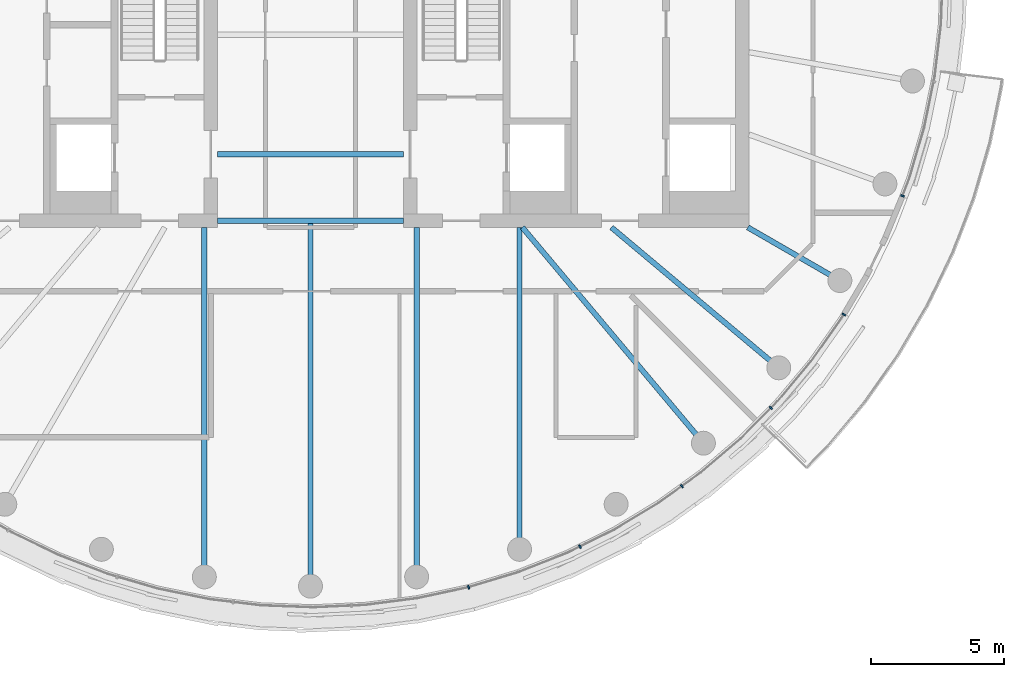
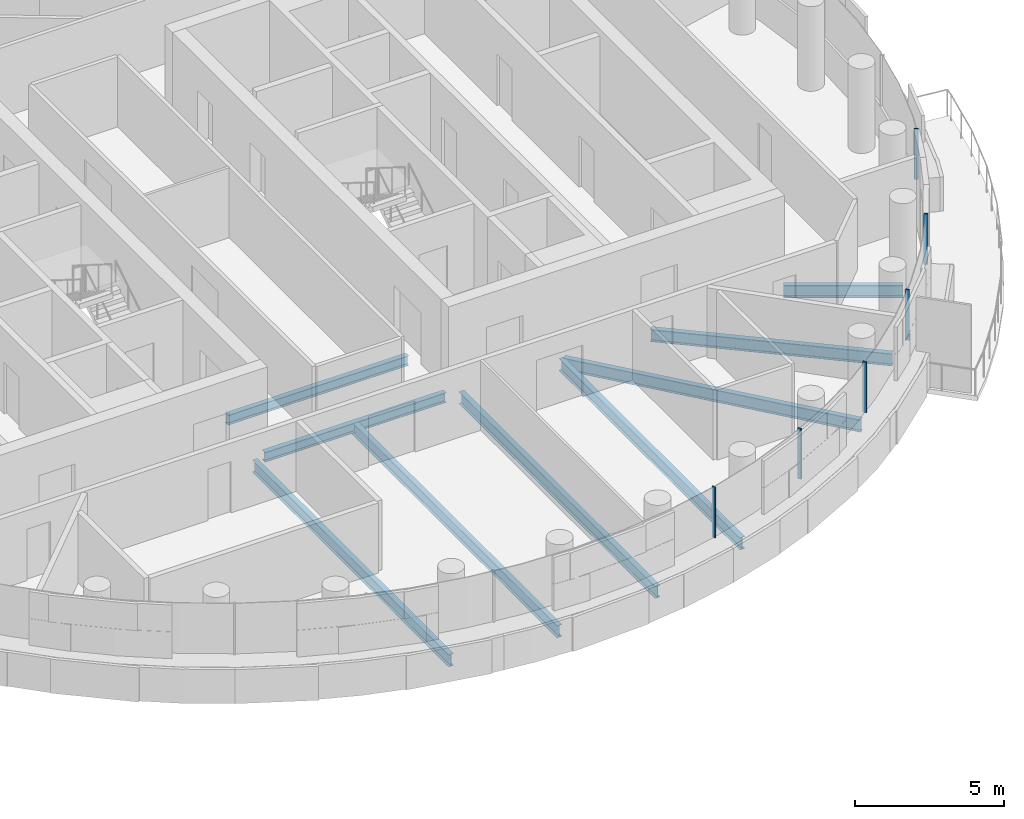
# One storey, part 7 of 27: 9 beams, 6 members, 1 element without a shape of its own.
"""IFC4 building model written with IfcOpenShell, lengths in metres."""

from ifc_helpers import new_model, si_unit, direction, frame, origin, origin_2d, place, context, subcontext, project, spatial, rectangle, i_section, extrude, material, layer, layer_set, material_profile, profile_set, type_object, element, aggregate, save


model = new_model("IFC4")

# Units and contexts
model_context = context("Model", 3, precision=1e-05, world=origin(), true_north=direction((0.0, 1.0)))
body_context = subcontext(model_context, "Body", "Model", "MODEL_VIEW")
ifc_project = project(units=[si_unit("LENGTHUNIT", "METRE"), si_unit("AREAUNIT", "SQUARE_METRE"), si_unit("VOLUMEUNIT", "CUBIC_METRE"), si_unit("PLANEANGLEUNIT", "RADIAN"), si_unit("MASSUNIT", "GRAM", prefix="KILO")], contexts=[model_context])

# Site, building, storey
site_placement = place(None, origin())
site = spatial("IfcSite", under=ifc_project, at=site_placement, CompositionType="ELEMENT")
building_placement = place(site_placement, origin())
building = spatial("IfcBuilding", under=site, at=building_placement, Name="Tamarind Cross Interchange Tower", CompositionType="ELEMENT")
storey_placement = place(building_placement, frame((0.0, 0.0, 245.10009765625)))
storey = spatial("IfcBuildingStorey", under=building, at=storey_placement, Name="L62", CompositionType="ELEMENT", Elevation=245.10009765625)

# Beams
ifc_material_1 = material(Name="Steel Q355B", Category="steel")
ifc_material_profile_1 = material_profile(ifc_material_1, i_section(OverallWidth=0.199951171875, OverallDepth=0.39990234375, WebThickness=0.008056640625, FlangeThickness=0.012939453125, FilletRadius=0.01611328125, at=origin_2d()), Name="HN 400x200x8x13")
ifc_profile_set_1 = profile_set([ifc_material_profile_1], Name="Steel Q355B")
beam_type_1 = type_object("IfcBeamType", Name="Composite beam HN 400x200x8x13 Q355B", PredefinedType="BEAM", material=ifc_profile_set_1)
for number, where, z_axis, x_axis, name in (
    (1, (-3.5, -6.75, -0.340087890625), (1.0, 0.0, 0.0), (0.0, 1.0, 0.0), "Beam G-6.75"),
    (2, (-3.5, -9.25, -0.340087890625), (1.0, 0.0, 0.0), (0.0, 1.0, 0.0), "Beam G-9.25"),
):
    element("IfcBeam", number, at=place(storey_placement, frame(where, z_axis=z_axis, x_axis=x_axis)), inside=storey, type_object=beam_type_1, Name=name, PredefinedType="BEAM", context=body_context, shape_type="SweptSolid", body=[
        extrude(i_section(OverallWidth=0.199951171875, OverallDepth=0.39990234375, WebThickness=0.008056640625, FlangeThickness=0.012939453125, FilletRadius=0.01611328125, at=origin_2d()), origin(), (0.0, 0.0, 1.0), 7.0),
    ])
ifc_material_profile_2 = material_profile(ifc_material_1, i_section(OverallWidth=0.198974609375, OverallDepth=0.49609375, WebThickness=0.009033203125, FlangeThickness=0.013916015625, FilletRadius=0.012939453125, at=origin_2d()), Name="HN 496x199x9x14")
ifc_profile_set_2 = profile_set([ifc_material_profile_2], Name="Steel Q355B")
beam_type_2 = type_object("IfcBeamType", Name="Composite beam HN 496x199x9x14 Q355B", PredefinedType="BEAM", material=ifc_profile_set_2)
beam_1_placement = place(storey_placement, frame((-3.993896484375, -22.650634765625, -0.38818359375), z_axis=(0.0, 1.0, 0.0), x_axis=(-1.0, 0.0, 0.0)))
element("IfcBeam", 3, at=beam_1_placement, inside=storey, type_object=beam_type_2, Name="Beam HH26", PredefinedType="BEAM", context=body_context, shape_type="SweptSolid", body=[
    extrude(i_section(OverallWidth=0.198974609375, OverallDepth=0.49609375, WebThickness=0.009033203125, FlangeThickness=0.013916015625, FilletRadius=0.012939453125, at=origin_2d()), origin(), (0.0, 0.0, 1.0), 13.150634765625),
])
beam_2_placement = place(storey_placement, frame((0.0, -23.0, -0.38818359375), z_axis=(0.0, 1.0, 0.0), x_axis=(-1.0, 0.0, 0.0)))
element("IfcBeam", 4, at=beam_2_placement, inside=storey, type_object=beam_type_2, Name="Beam HH27", PredefinedType="BEAM", context=body_context, shape_type="SweptSolid", body=[
    extrude(i_section(OverallWidth=0.198974609375, OverallDepth=0.49609375, WebThickness=0.009033203125, FlangeThickness=0.013916015625, FilletRadius=0.012939453125, at=origin_2d()), origin(), (0.0, 0.0, 1.0), 13.75),
])
beam_3_placement = place(storey_placement, frame((3.993896484375, -22.650634765625, -0.38818359375), z_axis=(0.0, 1.0, 0.0), x_axis=(-1.0, 0.0, 0.0)))
element("IfcBeam", 5, at=beam_3_placement, inside=storey, type_object=beam_type_2, Name="Beam HH28", PredefinedType="BEAM", context=body_context, shape_type="SweptSolid", body=[
    extrude(i_section(OverallWidth=0.198974609375, OverallDepth=0.49609375, WebThickness=0.009033203125, FlangeThickness=0.013916015625, FilletRadius=0.012939453125, at=origin_2d()), origin(), (0.0, 0.0, 1.0), 13.150634765625),
])
beam_4_placement = place(storey_placement, frame((7.866455078125, -21.613037109375, -0.38818359375), z_axis=(0.0, 1.0, 0.0), x_axis=(-1.0, 0.0, 0.0)))
element("IfcBeam", 6, at=beam_4_placement, inside=storey, type_object=beam_type_2, Name="Beam HH29", PredefinedType="BEAM", context=body_context, shape_type="SweptSolid", body=[
    extrude(i_section(OverallWidth=0.198974609375, OverallDepth=0.49609375, WebThickness=0.009033203125, FlangeThickness=0.013916015625, FilletRadius=0.012939453125, at=origin_2d()), origin(), (0.0, 0.0, 1.0), 12.113037109375),
])
beam_5_placement = place(storey_placement, frame((14.7841796875, -17.619140625, -0.38818359375), z_axis=(-0.642786293979, 0.766045547127, 0.0), x_axis=(-0.766045547127, -0.642786293979, 0.0)))
element("IfcBeam", 7, at=beam_5_placement, inside=storey, type_object=beam_type_2, Name="Beam HH31", PredefinedType="BEAM", context=body_context, shape_type="SweptSolid", body=[
    extrude(i_section(OverallWidth=0.198974609375, OverallDepth=0.49609375, WebThickness=0.009033203125, FlangeThickness=0.013916015625, FilletRadius=0.012939453125, at=origin_2d()), origin(), (0.0, 0.0, 1.0), 10.598876953125),
])
beam_6_placement = place(storey_placement, frame((17.619140625, -14.7841796875, -0.38818359375), z_axis=(-0.766040580814, 0.642792212574, 0.0), x_axis=(-0.642792212574, -0.766040580814, 0.0)))
element("IfcBeam", 8, at=beam_6_placement, inside=storey, type_object=beam_type_2, Name="Beam HH32", PredefinedType="BEAM", context=body_context, shape_type="SweptSolid", body=[
    extrude(i_section(OverallWidth=0.198974609375, OverallDepth=0.49609375, WebThickness=0.009033203125, FlangeThickness=0.013916015625, FilletRadius=0.012939453125, at=origin_2d()), origin(), (0.0, 0.0, 1.0), 8.220703125),
])
beam_7_placement = place(storey_placement, frame((19.918701171875, -11.5, -0.38818359375), z_axis=(-0.866026010844, 0.49999894854, 0.0), x_axis=(-0.49999894854, -0.866026010844, 0.0)))
element("IfcBeam", 9, at=beam_7_placement, inside=storey, type_object=beam_type_2, Name="Beam HH33", PredefinedType="BEAM", context=body_context, shape_type="SweptSolid", body=[
    extrude(i_section(OverallWidth=0.198974609375, OverallDepth=0.49609375, WebThickness=0.009033203125, FlangeThickness=0.013916015625, FilletRadius=0.012939453125, at=origin_2d()), origin(), (0.0, 0.0, 1.0), 4.0),
])

# Curtain wall, members
ifc_material_2 = material(Name="Aluminium 6063-T6", Category="aluminium")
ifc_layer = layer(ifc_material_2, 0.139892578125)
ifc_layer_set = layer_set([ifc_layer], Name="Aluminium 6063-T6")
curtain_wall_type = type_object("IfcCurtainWallType", Name="Hotel curtain wall, 4.5 m bays", PredefinedType="NOTDEFINED", material=ifc_layer_set)
curtain_wall_placement = place(storey_placement, origin())
curtain_wall = element("IfcCurtainWall", 10, at=curtain_wall_placement, inside=storey, type_object=curtain_wall_type, Name="CWS-L62-06", PredefinedType="NOTDEFINED")
ifc_material_profile_3 = material_profile(ifc_material_2, rectangle(XDim=0.06005859375, YDim=0.139892578125, at=origin_2d()), Name="Mullion CW2")
ifc_profile_set_3 = profile_set([ifc_material_profile_3], Name="Aluminium 6063-T6")
member_type = type_object("IfcMemberType", Name="Mullion CW2", PredefinedType="MULLION", material=ifc_profile_set_3)
member_1_placement = place(storey_placement, frame((5.94970703125, -23.03955078125, 1.39990234375), z_axis=(0.0, 0.0, 1.0), x_axis=(0.957190642199, 0.289458243079, 0.0)))
member_1 = element("IfcMember", 11, at=member_1_placement, type_object=member_type, Name="CWM-L62-06-07", PredefinedType="MULLION", context=body_context, shape_type="SweptSolid", body=[
    extrude(rectangle(XDim=0.06005859375, YDim=0.139892578125, at=origin_2d()), origin(), (0.0, 0.0, 1.0), 2.06005859375),
])
member_2_placement = place(storey_placement, frame((10.13916015625, -21.509765625, 1.39990234375), z_axis=(0.0, 0.0, 1.0), x_axis=(0.896492548518, 0.443058811505, 0.0)))
member_2 = element("IfcMember", 12, at=member_2_placement, type_object=member_type, Name="CWM-L62-06-08", PredefinedType="MULLION", context=body_context, shape_type="SweptSolid", body=[
    extrude(rectangle(XDim=0.06005859375, YDim=0.139892578125, at=origin_2d()), origin(), (0.0, 0.0, 1.0), 2.06005859375),
])
member_3_placement = place(storey_placement, frame((13.97412109375, -19.2353515625, 1.39990234375), z_axis=(0.0, 0.0, 1.0), x_axis=(0.811340475102, 0.584573890505, 0.0)))
member_3 = element("IfcMember", 13, at=member_3_placement, type_object=member_type, Name="CWM-L62-06-09", PredefinedType="MULLION", context=body_context, shape_type="SweptSolid", body=[
    extrude(rectangle(XDim=0.06005859375, YDim=0.139892578125, at=origin_2d()), origin(), (0.0, 0.0, 1.0), 2.06005859375),
])
member_4_placement = place(storey_placement, frame((17.325439453125, -16.2939453125, 1.39990234375), z_axis=(0.0, 0.0, 1.0), x_axis=(0.704057148523, 0.710143317658, 0.0)))
member_4 = element("IfcMember", 14, at=member_4_placement, type_object=member_type, Name="CWM-L62-06-10", PredefinedType="MULLION", context=body_context, shape_type="SweptSolid", body=[
    extrude(rectangle(XDim=0.06005859375, YDim=0.139892578125, at=origin_2d()), origin(), (0.0, 0.0, 1.0), 2.06005859375),
])
member_5_placement = place(storey_placement, frame((20.066650390625, -12.77685546875, 1.39990234375), z_axis=(0.0, 0.0, 1.0), x_axis=(0.508183308752, 0.861248933065, 0.0)))
member_5 = element("IfcMember", 15, at=member_5_placement, type_object=member_type, Name="CWM-L62-06-11", PredefinedType="MULLION", context=body_context, shape_type="SweptSolid", body=[
    extrude(rectangle(XDim=0.06005859375, YDim=0.139892578125, at=origin_2d()), origin(), (0.0, 0.0, 1.0), 2.06005859375),
])
member_6_placement = place(storey_placement, frame((22.275634765625, -8.314697265625, 1.39990234375), z_axis=(0.0, 0.0, 1.0), x_axis=(0.359495435512, 0.933146843667, 0.0)))
member_6 = element("IfcMember", 16, at=member_6_placement, type_object=member_type, Name="CWM-L62-06-12", PredefinedType="MULLION", context=body_context, shape_type="SweptSolid", body=[
    extrude(rectangle(XDim=0.06005859375, YDim=0.139892578125, at=origin_2d()), origin(), (0.0, 0.0, 1.0), 2.06005859375),
])
aggregate(curtain_wall, [member_1, member_2, member_3, member_4, member_5, member_6])

save(model, "model.ifc")
